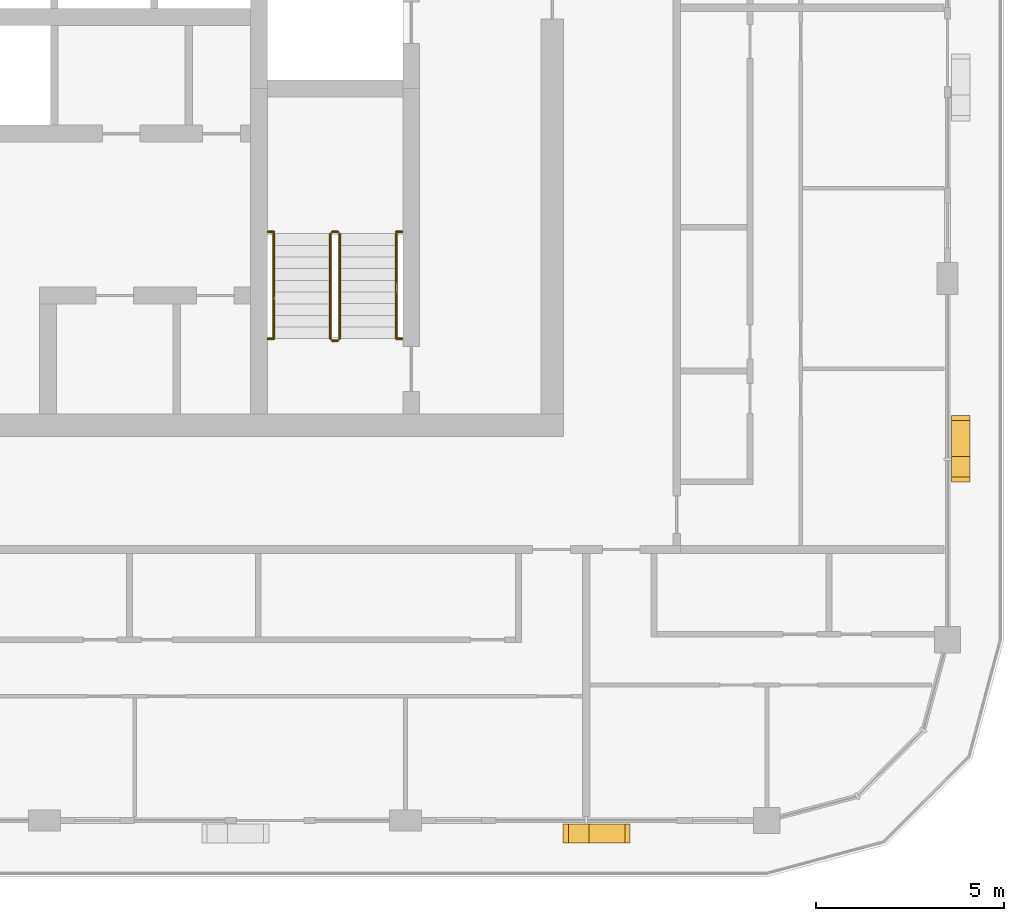
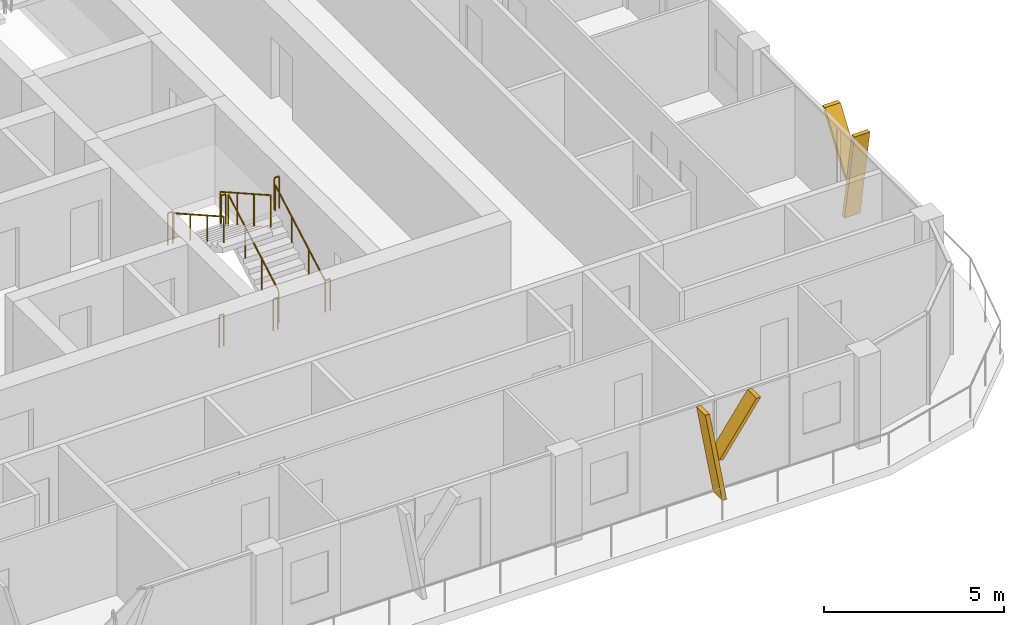
# One storey, part 19 of 22: 10 railings, 4 shading devices.
"""IFC4 building model written with IfcOpenShell, lengths in metres."""

from ifc_helpers import new_model, si_unit, direction, frame, origin, origin_2d, place, context, subcontext, project, spatial, polyline, circle, outline, extrude, material, type_object, element, save


model = new_model("IFC4")

# Units and contexts
model_context = context("Model", 3, precision=1e-05, world=origin(), true_north=direction((0.0, 1.0)))
body_context = subcontext(model_context, "Body", "Model", "MODEL_VIEW")
ifc_project = project(units=[si_unit("LENGTHUNIT", "METRE"), si_unit("AREAUNIT", "SQUARE_METRE"), si_unit("VOLUMEUNIT", "CUBIC_METRE"), si_unit("PLANEANGLEUNIT", "RADIAN"), si_unit("MASSUNIT", "GRAM", prefix="KILO")], contexts=[model_context])

# Site, building, storey
site_placement = place(None, origin())
site = spatial("IfcSite", under=ifc_project, at=site_placement, CompositionType="ELEMENT")
building_placement = place(site_placement, origin())
building = spatial("IfcBuilding", under=site, at=building_placement, Name="Madar Terraces", CompositionType="ELEMENT")
storey_placement = place(building_placement, frame((0.0, 0.0, 259.699951171875)))
storey = spatial("IfcBuildingStorey", under=building, at=storey_placement, Name="L68", CompositionType="ELEMENT", Elevation=259.699951171875)

# Shading devices
ifc_material_1 = material(Name="Aluminium, black anodised", Category="aluminium")
shading_device_type = type_object("IfcShadingDeviceType", Name="Facade fin blade 140 x 500", PredefinedType="USERDEFINED", material=ifc_material_1)
shading_device_1_placement = place(storey_placement, frame((47.929931640625, 4.449951171875, 0.0), z_axis=(0.0, 0.0, 1.0), x_axis=(1.0, 0.0, 0.0)))
element("IfcShadingDevice", 1, at=shading_device_1_placement, inside=storey, type_object=shading_device_type, Name="FIN L68 S5", ObjectType="FIN", PredefinedType="USERDEFINED", context=body_context, shape_type="SweptSolid", body=[
    extrude(outline(polyline([(0.0, 0.0), (0.14013671875, 0.0), (-0.403076171875, 3.080078125), (-0.54296875, 3.080078125), (0.0, 0.0)])), frame((0.0, 0.25, 0.0), z_axis=(0.0, -1.0, 0.0), x_axis=(1.0, 0.0, 0.0)), (0.0, 0.0, 1.0), 0.5),
])
shading_device_2_placement = place(storey_placement, frame((47.82568359375, 4.449951171875, 1.385986328125), z_axis=(0.0, 0.0, 1.0), x_axis=(1.0, 0.0, 0.0)))
element("IfcShadingDevice", 2, at=shading_device_2_placement, inside=storey, type_object=shading_device_type, Name="FIN L68 S5 branch", ObjectType="FIN", PredefinedType="USERDEFINED", context=body_context, shape_type="SweptSolid", body=[
    extrude(outline(polyline([(0.0, 0.0), (0.139892578125, 0.0), (1.34130859375, 1.694091796875), (1.201416015625, 1.694091796875), (0.0, 0.0)])), frame((0.0, 0.25, 0.0), z_axis=(0.0, -1.0, 0.0), x_axis=(1.0, 0.0, 0.0)), (0.0, 0.0, 1.0), 0.5),
])
shading_device_3_placement = place(storey_placement, frame((57.949951171875, 14.330078125, 0.0), z_axis=(0.0, 0.0, 1.0), x_axis=(0.0, 1.0, 0.0)))
element("IfcShadingDevice", 3, at=shading_device_3_placement, inside=storey, type_object=shading_device_type, Name="FIN L68 E1", ObjectType="FIN", PredefinedType="USERDEFINED", context=body_context, shape_type="SweptSolid", body=[
    extrude(outline(polyline([(0.0, 0.0), (0.139892578125, 0.0), (-0.403076171875, 3.080078125), (-0.54296875, 3.080078125), (0.0, 0.0)])), frame((0.0, 0.25, 0.0), z_axis=(0.0, -1.0, 0.0), x_axis=(1.0, 0.0, 0.0)), (0.0, 0.0, 1.0), 0.5),
])
shading_device_4_placement = place(storey_placement, frame((57.949951171875, 14.2255859375, 1.385986328125), z_axis=(0.0, 0.0, 1.0), x_axis=(0.0, 1.0, 0.0)))
element("IfcShadingDevice", 4, at=shading_device_4_placement, inside=storey, type_object=shading_device_type, Name="FIN L68 E1 branch", ObjectType="FIN", PredefinedType="USERDEFINED", context=body_context, shape_type="SweptSolid", body=[
    extrude(outline(polyline([(0.0, 0.0), (0.14013671875, 0.0), (1.34130859375, 1.694091796875), (1.201416015625, 1.694091796875), (0.0, 0.0)])), frame((0.0, 0.25, 0.0), z_axis=(0.0, -1.0, 0.0), x_axis=(1.0, 0.0, 0.0)), (0.0, 0.0, 1.0), 0.5),
])

# Railings
ifc_material_2 = material(Name="Stainless steel railing", Category="steel")
railing_type_1 = type_object("IfcRailingType", Name="Stair guard 1100", PredefinedType="GUARDRAIL", material=ifc_material_2)
railing_1_placement = place(storey_placement, frame((41.449951171875, 17.60009765625, 0.175048828125)))
element("IfcRailing", 5, at=railing_1_placement, inside=storey, type_object=railing_type_1, Name="L68 ST3 stair guard 1", PredefinedType="GUARDRAIL", context=body_context, shape_type="SweptSolid", body=[
    extrude(circle(Radius=0.02392578125, at=origin_2d()), frame((0.0, 0.0, 1.076171875), z_axis=(0.0, 0.870815363784, 0.491610213684), x_axis=(-1.0, 0.0, 0.0)), (0.0, 0.0, 1.0), 3.20361328125),
    extrude(circle(Radius=0.02099609375, at=origin_2d()), origin(), (0.0, 0.0, 1.0), 1.052001953125),
    extrude(circle(Radius=0.02099609375, at=origin_2d()), frame((0.0, 0.929931640625, 0.52490234375)), (0.0, 0.0, 1.0), 1.052001953125),
    extrude(circle(Radius=0.02099609375, at=origin_2d()), frame((0.0, 1.85986328125, 1.050048828125)), (0.0, 0.0, 1.0), 1.052001953125),
    extrude(circle(Radius=0.02099609375, at=origin_2d()), frame((0.0, 2.789794921875, 1.574951171875)), (0.0, 0.0, 1.0), 1.052001953125),
])
railing_2_placement = place(storey_placement, frame((41.39990234375, 20.43994140625, 1.75)))
element("IfcRailing", 6, at=railing_2_placement, inside=storey, type_object=railing_type_1, Name="L68 ST3 stair guard 2", PredefinedType="GUARDRAIL", context=body_context, shape_type="SweptSolid", body=[
    extrude(circle(Radius=0.02392578125, at=origin_2d()), frame((0.0, 0.0, 1.076171875), z_axis=(-1.0, 0.0, 0.0), x_axis=(0.0, -1.0, 0.0)), (0.0, 0.0, 1.0), 0.14990234375),
    extrude(circle(Radius=0.02099609375, at=origin_2d()), origin(), (0.0, 0.0, 1.0), 1.052001953125),
    extrude(circle(Radius=0.02099609375, at=origin_2d()), frame((-0.14990234375, 0.0, 0.0)), (0.0, 0.0, 1.0), 1.052001953125),
])
railing_3_placement = place(storey_placement, frame((41.199951171875, 20.389892578125, 1.925048828125)))
element("IfcRailing", 7, at=railing_3_placement, inside=storey, type_object=railing_type_1, Name="L68 ST3 stair guard 3", PredefinedType="GUARDRAIL", context=body_context, shape_type="SweptSolid", body=[
    extrude(circle(Radius=0.02392578125, at=origin_2d()), frame((0.0, 0.0, 1.076171875), z_axis=(0.0, -0.870815363784, 0.491610213684), x_axis=(1.0, 0.0, 0.0)), (0.0, 0.0, 1.0), 3.20361328125),
    extrude(circle(Radius=0.02099609375, at=origin_2d()), origin(), (0.0, 0.0, 1.0), 1.052001953125),
    extrude(circle(Radius=0.02099609375, at=origin_2d()), frame((0.0, -0.929931640625, 0.52490234375)), (0.0, 0.0, 1.0), 1.052001953125),
    extrude(circle(Radius=0.02099609375, at=origin_2d()), frame((0.0, -1.85986328125, 1.050048828125)), (0.0, 0.0, 1.0), 1.052001953125),
    extrude(circle(Radius=0.02099609375, at=origin_2d()), frame((0.0, -2.789794921875, 1.574951171875)), (0.0, 0.0, 1.0), 1.052001953125),
])
railing_4_placement = place(storey_placement, frame((41.39990234375, 17.550048828125, 0.0)))
element("IfcRailing", 8, at=railing_4_placement, inside=storey, type_object=railing_type_1, Name="L68 ST3 stair guard 4", PredefinedType="GUARDRAIL", context=body_context, shape_type="SweptSolid", body=[
    extrude(circle(Radius=0.02392578125, at=origin_2d()), frame((0.0, 0.0, 1.076171875), z_axis=(-1.0, 0.0, 0.0), x_axis=(0.0, -1.0, 0.0)), (0.0, 0.0, 1.0), 0.14990234375),
    extrude(circle(Radius=0.02099609375, at=origin_2d()), origin(), (0.0, 0.0, 1.0), 1.052001953125),
    extrude(circle(Radius=0.02099609375, at=origin_2d()), frame((-0.14990234375, 0.0, 0.0)), (0.0, 0.0, 1.0), 1.052001953125),
])
for number, where, name in (
    (9, (39.544921875, 20.43994140625, 1.75), "L68 stair guard seat 1"),
    (10, (42.949951171875, 20.43994140625, 1.75), "L68 stair guard seat 2"),
    (11, (39.544921875, 17.60009765625, 0.0), "L68 stair guard floor 1"),
    (12, (42.949951171875, 17.60009765625, 0.0), "L68 stair guard floor 2"),
):
    element("IfcRailing", number, at=place(storey_placement, frame(where)), inside=storey, type_object=railing_type_1, Name=name, PredefinedType="GUARDRAIL", context=body_context, shape_type="SweptSolid", body=[
        extrude(circle(Radius=0.02392578125, at=origin_2d()), frame((0.0, 0.0, 1.076171875), z_axis=(1.0, 0.0, 0.0), x_axis=(0.0, 1.0, 0.0)), (0.0, 0.0, 1.0), 0.155029296875),
        extrude(circle(Radius=0.02099609375, at=origin_2d()), origin(), (0.0, 0.0, 1.0), 1.052001953125),
        extrude(circle(Radius=0.02099609375, at=origin_2d()), frame((0.155029296875, 0.0, 0.0)), (0.0, 0.0, 1.0), 1.052001953125),
    ])
ifc_material_3 = material(Name="Stainless steel railing", Category="steel")
railing_type_2 = type_object("IfcRailingType", Name="Stair handrail 900", PredefinedType="HANDRAIL", material=ifc_material_3)
railing_5_placement = place(storey_placement, frame((42.949951171875, 17.60009765625, 0.175048828125)))
element("IfcRailing", 13, at=railing_5_placement, inside=storey, type_object=railing_type_2, Name="L68 ST3 stair handrail 1", PredefinedType="HANDRAIL", context=body_context, shape_type="SweptSolid", body=[
    extrude(circle(Radius=0.02392578125, at=origin_2d()), frame((0.0, 0.0, 0.8759765625), z_axis=(0.0, 0.870815363784, 0.491610213684), x_axis=(-1.0, 0.0, 0.0)), (0.0, 0.0, 1.0), 3.20361328125),
    extrude(circle(Radius=0.02099609375, at=origin_2d()), origin(), (0.0, 0.0, 1.0), 0.851806640625),
    extrude(circle(Radius=0.02099609375, at=origin_2d()), frame((0.0, 0.929931640625, 0.52490234375)), (0.0, 0.0, 1.0), 0.851806640625),
    extrude(circle(Radius=0.02099609375, at=origin_2d()), frame((0.0, 1.85986328125, 1.050048828125)), (0.0, 0.0, 1.0), 0.851806640625),
    extrude(circle(Radius=0.02099609375, at=origin_2d()), frame((0.0, 2.789794921875, 1.574951171875)), (0.0, 0.0, 1.0), 0.851806640625),
])
railing_6_placement = place(storey_placement, frame((39.699951171875, 20.389892578125, 1.925048828125)))
element("IfcRailing", 14, at=railing_6_placement, inside=storey, type_object=railing_type_2, Name="L68 ST3 stair handrail 2", PredefinedType="HANDRAIL", context=body_context, shape_type="SweptSolid", body=[
    extrude(circle(Radius=0.02392578125, at=origin_2d()), frame((0.0, 0.0, 0.8759765625), z_axis=(0.0, -0.870815363784, 0.491610213684), x_axis=(1.0, 0.0, 0.0)), (0.0, 0.0, 1.0), 3.20361328125),
    extrude(circle(Radius=0.02099609375, at=origin_2d()), origin(), (0.0, 0.0, 1.0), 0.851806640625),
    extrude(circle(Radius=0.02099609375, at=origin_2d()), frame((0.0, -0.929931640625, 0.52490234375)), (0.0, 0.0, 1.0), 0.851806640625),
    extrude(circle(Radius=0.02099609375, at=origin_2d()), frame((0.0, -1.85986328125, 1.050048828125)), (0.0, 0.0, 1.0), 0.851806640625),
    extrude(circle(Radius=0.02099609375, at=origin_2d()), frame((0.0, -2.789794921875, 1.574951171875)), (0.0, 0.0, 1.0), 0.851806640625),
])

save(model, "model.ifc")
